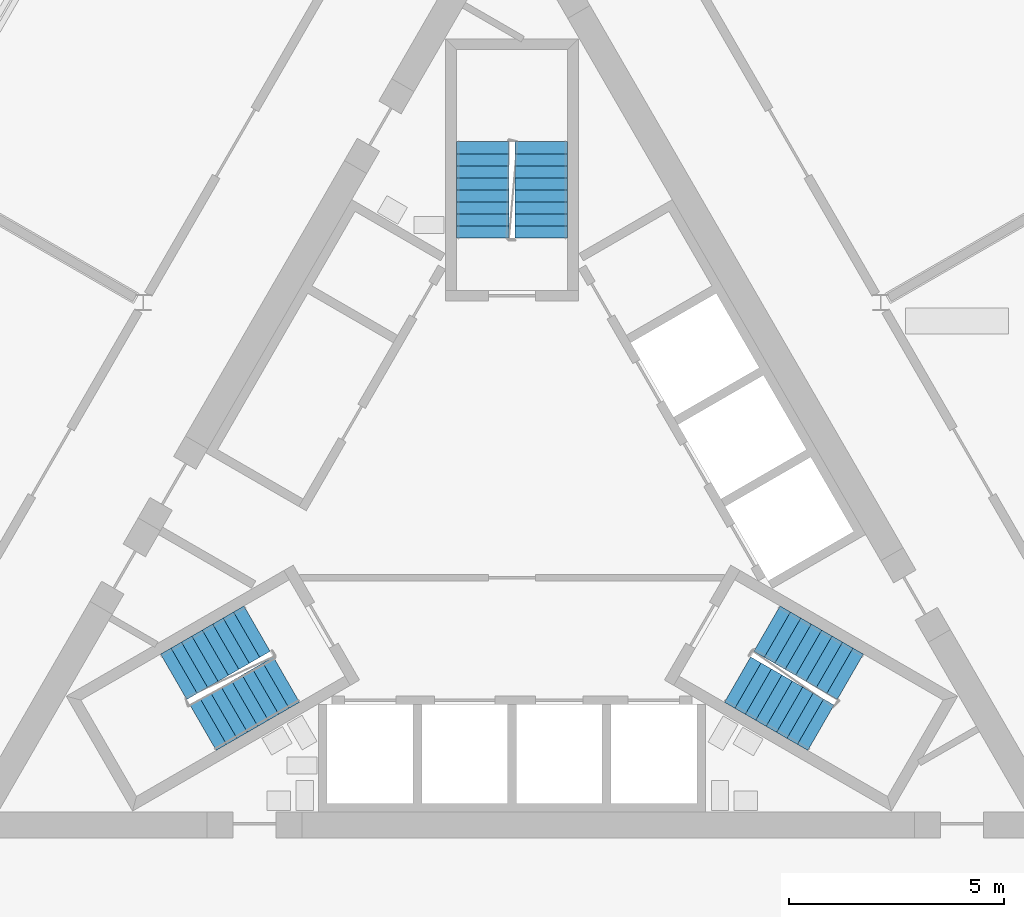
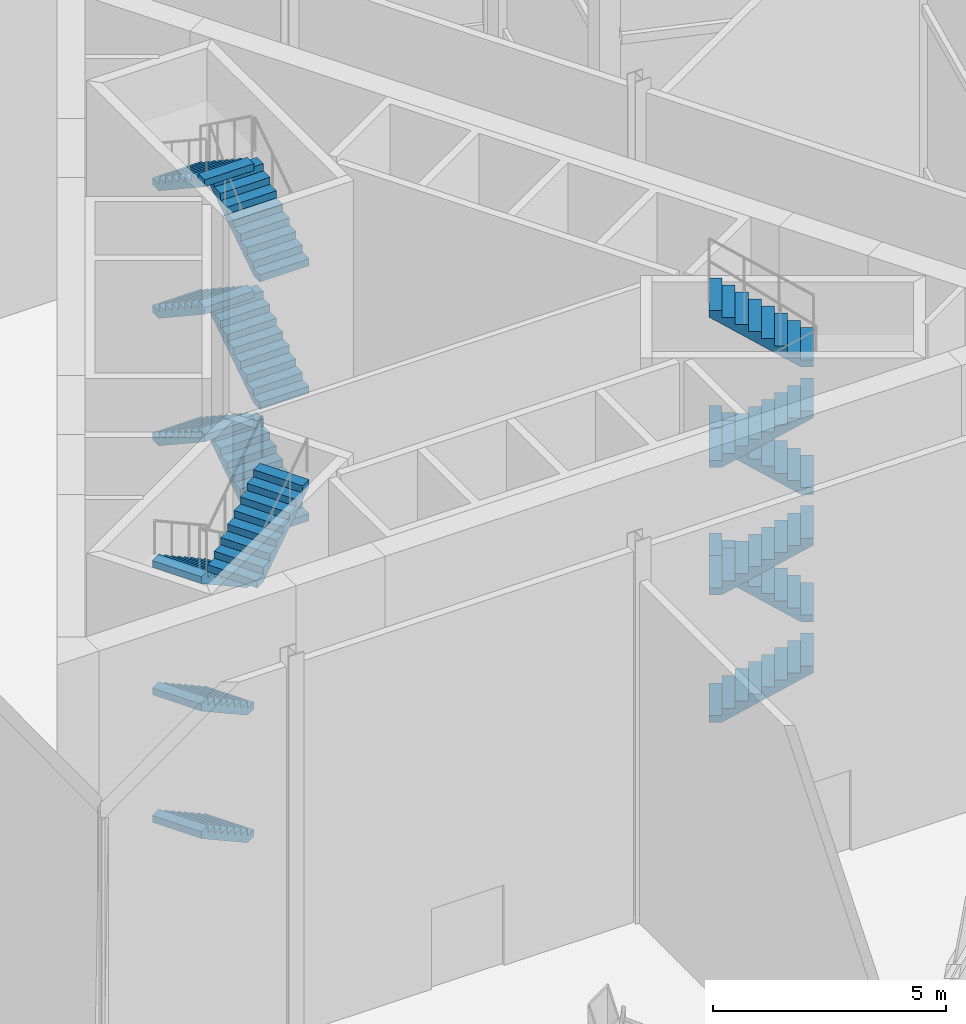
# One storey, part 11 of 18: 16 stair flights, 3 elements without a shape of their own.
"""IFC4 building model written with IfcOpenShell, lengths in metres."""

from ifc_helpers import new_model, si_unit, direction, frame, origin, place, context, subcontext, project, spatial, polyline, outline, extrude, material, type_object, element, aggregate, save


model = new_model("IFC4")

# Units and contexts
model_context = context("Model", 3, precision=1e-05, world=origin(), true_north=direction((0.0, 1.0)))
body_context = subcontext(model_context, "Body", "Model", "MODEL_VIEW")
ifc_project = project(units=[si_unit("LENGTHUNIT", "METRE"), si_unit("AREAUNIT", "SQUARE_METRE"), si_unit("VOLUMEUNIT", "CUBIC_METRE"), si_unit("PLANEANGLEUNIT", "RADIAN"), si_unit("MASSUNIT", "GRAM", prefix="KILO")], contexts=[model_context])

# Site, building, storey
site_placement = place(None, origin())
site = spatial("IfcSite", under=ifc_project, at=site_placement, CompositionType="ELEMENT")
building_placement = place(site_placement, origin())
building = spatial("IfcBuilding", under=site, at=building_placement, Name="Cormorant Prow Tower", CompositionType="ELEMENT")
storey_placement = place(building_placement, frame((0.0, 0.0, 405.199951171875)))
storey = spatial("IfcBuildingStorey", under=building, at=storey_placement, Name="L93", CompositionType="ELEMENT", Elevation=405.199951171875)

# Stair, stair flights
ifc_material_1 = material(Name="Exit stair 54 risers")
stair_type = type_object("IfcStairType", Name="Exit stair 54 risers", PredefinedType="HALF_TURN_STAIR", material=ifc_material_1)
stair_1_placement = place(storey_placement, origin())
stair_1 = element("IfcStair", 1, at=stair_1_placement, inside=storey, type_object=stair_type, Name="L93 Exit stair ST1", PredefinedType="HALF_TURN_STAIR")
ifc_material_2 = material(Name="Concrete 5000 psi", Category="concrete")
stair_flight_type = type_object("IfcStairFlightType", Name="Stair flight 1219", PredefinedType="STRAIGHT", material=ifc_material_2)
stair_flight_1_placement = place(storey_placement, frame((-5.93310546875, -2.635009765625, 0.0), z_axis=(0.0, 0.0, 1.0), x_axis=(-0.866025403784, -0.5, 0.0)))
stair_flight_1 = element("IfcStairFlight", 2, at=stair_flight_1_placement, type_object=stair_flight_type, Name="ST1 flight 1", NumberOfRisers=9, NumberOfTreads=8, PredefinedType="STRAIGHT", RiserHeight=0.185185185, TreadLength=0.28, context=body_context, shape_type="SweptSolid", body=[
    extrude(outline(polyline([(0.0, 0.0), (0.0, 0.185302734375), (0.280029296875, 0.185302734375), (0.280029296875, 0.370361328125), (0.56005859375, 0.370361328125), (0.56005859375, 0.5556640625), (0.840087890625, 0.5556640625), (0.840087890625, 0.74072265625), (1.1201171875, 0.74072265625), (1.1201171875, 0.926025390625), (1.39990234375, 0.926025390625), (1.39990234375, 1.111083984375), (1.679931640625, 1.111083984375), (1.679931640625, 1.29638671875), (1.9599609375, 1.29638671875), (1.9599609375, 1.4814453125), (2.239990234375, 1.4814453125), (2.239990234375, 1.666748046875), (2.239990234375, 1.3017578125), (0.271728515625, 0.0), (0.0, 0.0)])), frame((0.0, 0.609375, 0.0), z_axis=(0.0, -1.0, 0.0), x_axis=(1.0, 0.0, 0.0)), (0.0, 0.0, 1.0), 1.218994140625),
])
stair_flight_2_placement = place(storey_placement, frame((-5.93310546875, -2.635009765625, 3.33349609375), z_axis=(0.0, 0.0, 1.0), x_axis=(-0.866025403784, -0.5, 0.0)))
stair_flight_2 = element("IfcStairFlight", 3, at=stair_flight_2_placement, type_object=stair_flight_type, Name="ST1 flight 3", NumberOfRisers=9, NumberOfTreads=8, PredefinedType="STRAIGHT", RiserHeight=0.185185185, TreadLength=0.28, context=body_context, shape_type="SweptSolid", body=[
    extrude(outline(polyline([(0.0, 0.0), (0.0, 0.185302734375), (0.280029296875, 0.185302734375), (0.280029296875, 0.370361328125), (0.56005859375, 0.370361328125), (0.56005859375, 0.5556640625), (0.840087890625, 0.5556640625), (0.840087890625, 0.74072265625), (1.1201171875, 0.74072265625), (1.1201171875, 0.926025390625), (1.39990234375, 0.926025390625), (1.39990234375, 1.111083984375), (1.679931640625, 1.111083984375), (1.679931640625, 1.29638671875), (1.9599609375, 1.29638671875), (1.9599609375, 1.4814453125), (2.239990234375, 1.4814453125), (2.239990234375, 1.666748046875), (2.239990234375, 1.3017578125), (0.271728515625, 0.0), (0.0, 0.0)])), frame((0.0, 0.609375, 0.0), z_axis=(0.0, -1.0, 0.0), x_axis=(1.0, 0.0, 0.0)), (0.0, 0.0, 1.0), 1.218994140625),
])
stair_flight_3_placement = place(storey_placement, frame((-5.93310546875, -2.635009765625, 6.666748046875), z_axis=(0.0, 0.0, 1.0), x_axis=(-0.866025403784, -0.5, 0.0)))
stair_flight_3 = element("IfcStairFlight", 4, at=stair_flight_3_placement, type_object=stair_flight_type, Name="ST1 flight 5", NumberOfRisers=9, NumberOfTreads=8, PredefinedType="STRAIGHT", RiserHeight=0.185185185, TreadLength=0.28, context=body_context, shape_type="SweptSolid", body=[
    extrude(outline(polyline([(0.0, 0.0), (0.0, 0.185302734375), (0.280029296875, 0.185302734375), (0.280029296875, 0.370361328125), (0.56005859375, 0.370361328125), (0.56005859375, 0.5556640625), (0.840087890625, 0.5556640625), (0.840087890625, 0.74072265625), (1.1201171875, 0.74072265625), (1.1201171875, 0.926025390625), (1.39990234375, 0.926025390625), (1.39990234375, 1.111083984375), (1.679931640625, 1.111083984375), (1.679931640625, 1.29638671875), (1.9599609375, 1.29638671875), (1.9599609375, 1.4814453125), (2.239990234375, 1.4814453125), (2.239990234375, 1.666748046875), (2.239990234375, 1.3017578125), (0.271728515625, 0.0), (0.0, 0.0)])), frame((0.0, 0.609375, 0.0), z_axis=(0.0, -1.0, 0.0), x_axis=(1.0, 0.0, 0.0)), (0.0, 0.0, 1.0), 1.218994140625),
])
stair_flight_4_placement = place(storey_placement, frame((-7.1884765625, -4.940673828125, 8.33349609375), z_axis=(0.0, 0.0, 1.0), x_axis=(0.866025403784, 0.5, 0.0)))
stair_flight_4 = element("IfcStairFlight", 5, at=stair_flight_4_placement, type_object=stair_flight_type, Name="ST1 flight 6", NumberOfRisers=9, NumberOfTreads=8, PredefinedType="STRAIGHT", RiserHeight=0.185185185, TreadLength=0.28, context=body_context, shape_type="SweptSolid", body=[
    extrude(outline(polyline([(0.0, 0.0), (0.0, 0.185302734375), (0.280029296875, 0.185302734375), (0.280029296875, 0.370361328125), (0.56005859375, 0.370361328125), (0.56005859375, 0.5556640625), (0.840087890625, 0.5556640625), (0.840087890625, 0.74072265625), (1.1201171875, 0.74072265625), (1.1201171875, 0.926025390625), (1.39990234375, 0.926025390625), (1.39990234375, 1.111083984375), (1.679931640625, 1.111083984375), (1.679931640625, 1.29638671875), (1.9599609375, 1.29638671875), (1.9599609375, 1.4814453125), (2.239990234375, 1.4814453125), (2.239990234375, 1.666748046875), (2.239990234375, 1.3017578125), (0.271728515625, 0.0), (0.0, 0.0)])), frame((0.0, 0.609375, 0.0), z_axis=(0.0, -1.0, 0.0), x_axis=(1.0, 0.0, 0.0)), (0.0, 0.0, 1.0), 1.218994140625),
])
aggregate(stair_1, [stair_flight_1, stair_flight_2, stair_flight_3, stair_flight_4])

stair_2_placement = place(storey_placement, origin())
stair_2 = element("IfcStair", 6, at=stair_2_placement, inside=storey, type_object=stair_type, Name="L93 Exit stair ST2", PredefinedType="HALF_TURN_STAIR")
stair_flight_5_placement = place(storey_placement, frame((5.24853515625, -3.82080078125, 0.0), z_axis=(0.0, 0.0, 1.0), x_axis=(0.866025403784, -0.5, 0.0)))
stair_flight_5 = element("IfcStairFlight", 7, at=stair_flight_5_placement, type_object=stair_flight_type, Name="ST2 flight 1", NumberOfRisers=9, NumberOfTreads=8, PredefinedType="STRAIGHT", RiserHeight=0.185185185, TreadLength=0.28, context=body_context, shape_type="SweptSolid", body=[
    extrude(outline(polyline([(0.0, 0.0), (0.0, 0.185302734375), (0.280029296875, 0.185302734375), (0.280029296875, 0.370361328125), (0.56005859375, 0.370361328125), (0.56005859375, 0.5556640625), (0.840087890625, 0.5556640625), (0.840087890625, 0.74072265625), (1.1201171875, 0.74072265625), (1.1201171875, 0.926025390625), (1.39990234375, 0.926025390625), (1.39990234375, 1.111083984375), (1.679931640625, 1.111083984375), (1.679931640625, 1.29638671875), (1.9599609375, 1.29638671875), (1.9599609375, 1.4814453125), (2.239990234375, 1.4814453125), (2.239990234375, 1.666748046875), (2.239990234375, 1.3017578125), (0.271728515625, 0.0), (0.0, 0.0)])), frame((0.0, 0.609375, 0.0), z_axis=(0.0, -1.0, 0.0), x_axis=(1.0, 0.0, 0.0)), (0.0, 0.0, 1.0), 1.218994140625),
])
stair_flight_6_placement = place(storey_placement, frame((7.873046875, -3.755126953125, 1.666748046875), z_axis=(0.0, 0.0, 1.0), x_axis=(-0.866025403784, 0.5, 0.0)))
stair_flight_6 = element("IfcStairFlight", 8, at=stair_flight_6_placement, type_object=stair_flight_type, Name="ST2 flight 2", NumberOfRisers=9, NumberOfTreads=8, PredefinedType="STRAIGHT", RiserHeight=0.185185185, TreadLength=0.28, context=body_context, shape_type="SweptSolid", body=[
    extrude(outline(polyline([(0.0, 0.0), (0.0, 0.185302734375), (0.280029296875, 0.185302734375), (0.280029296875, 0.370361328125), (0.56005859375, 0.370361328125), (0.56005859375, 0.5556640625), (0.840087890625, 0.5556640625), (0.840087890625, 0.74072265625), (1.1201171875, 0.74072265625), (1.1201171875, 0.926025390625), (1.39990234375, 0.926025390625), (1.39990234375, 1.111083984375), (1.679931640625, 1.111083984375), (1.679931640625, 1.29638671875), (1.9599609375, 1.29638671875), (1.9599609375, 1.4814453125), (2.239990234375, 1.4814453125), (2.239990234375, 1.666748046875), (2.239990234375, 1.3017578125), (0.271728515625, 0.0), (0.0, 0.0)])), frame((0.0, 0.609375, 0.0), z_axis=(0.0, -1.0, 0.0), x_axis=(1.0, 0.0, 0.0)), (0.0, 0.0, 1.0), 1.218994140625),
])
stair_flight_7_placement = place(storey_placement, frame((5.24853515625, -3.82080078125, 3.33349609375), z_axis=(0.0, 0.0, 1.0), x_axis=(0.866025403784, -0.5, 0.0)))
stair_flight_7 = element("IfcStairFlight", 9, at=stair_flight_7_placement, type_object=stair_flight_type, Name="ST2 flight 3", NumberOfRisers=9, NumberOfTreads=8, PredefinedType="STRAIGHT", RiserHeight=0.185185185, TreadLength=0.28, context=body_context, shape_type="SweptSolid", body=[
    extrude(outline(polyline([(0.0, 0.0), (0.0, 0.185302734375), (0.280029296875, 0.185302734375), (0.280029296875, 0.370361328125), (0.56005859375, 0.370361328125), (0.56005859375, 0.5556640625), (0.840087890625, 0.5556640625), (0.840087890625, 0.74072265625), (1.1201171875, 0.74072265625), (1.1201171875, 0.926025390625), (1.39990234375, 0.926025390625), (1.39990234375, 1.111083984375), (1.679931640625, 1.111083984375), (1.679931640625, 1.29638671875), (1.9599609375, 1.29638671875), (1.9599609375, 1.4814453125), (2.239990234375, 1.4814453125), (2.239990234375, 1.666748046875), (2.239990234375, 1.3017578125), (0.271728515625, 0.0), (0.0, 0.0)])), frame((0.0, 0.609375, 0.0), z_axis=(0.0, -1.0, 0.0), x_axis=(1.0, 0.0, 0.0)), (0.0, 0.0, 1.0), 1.218994140625),
])
stair_flight_8_placement = place(storey_placement, frame((7.873046875, -3.755126953125, 5.0), z_axis=(0.0, 0.0, 1.0), x_axis=(-0.866025403784, 0.5, 0.0)))
stair_flight_8 = element("IfcStairFlight", 10, at=stair_flight_8_placement, type_object=stair_flight_type, Name="ST2 flight 4", NumberOfRisers=9, NumberOfTreads=8, PredefinedType="STRAIGHT", RiserHeight=0.185185185, TreadLength=0.28, context=body_context, shape_type="SweptSolid", body=[
    extrude(outline(polyline([(0.0, 0.0), (0.0, 0.185302734375), (0.280029296875, 0.185302734375), (0.280029296875, 0.370361328125), (0.56005859375, 0.370361328125), (0.56005859375, 0.5556640625), (0.840087890625, 0.5556640625), (0.840087890625, 0.74072265625), (1.1201171875, 0.74072265625), (1.1201171875, 0.926025390625), (1.39990234375, 0.926025390625), (1.39990234375, 1.111083984375), (1.679931640625, 1.111083984375), (1.679931640625, 1.29638671875), (1.9599609375, 1.29638671875), (1.9599609375, 1.4814453125), (2.239990234375, 1.4814453125), (2.239990234375, 1.666748046875), (2.239990234375, 1.3017578125), (0.271728515625, 0.0), (0.0, 0.0)])), frame((0.0, 0.609375, 0.0), z_axis=(0.0, -1.0, 0.0), x_axis=(1.0, 0.0, 0.0)), (0.0, 0.0, 1.0), 1.218994140625),
])
stair_flight_9_placement = place(storey_placement, frame((5.24853515625, -3.82080078125, 6.666748046875), z_axis=(0.0, 0.0, 1.0), x_axis=(0.866025403784, -0.5, 0.0)))
stair_flight_9 = element("IfcStairFlight", 11, at=stair_flight_9_placement, type_object=stair_flight_type, Name="ST2 flight 5", NumberOfRisers=9, NumberOfTreads=8, PredefinedType="STRAIGHT", RiserHeight=0.185185185, TreadLength=0.28, context=body_context, shape_type="SweptSolid", body=[
    extrude(outline(polyline([(0.0, 0.0), (0.0, 0.185302734375), (0.280029296875, 0.185302734375), (0.280029296875, 0.370361328125), (0.56005859375, 0.370361328125), (0.56005859375, 0.5556640625), (0.840087890625, 0.5556640625), (0.840087890625, 0.74072265625), (1.1201171875, 0.74072265625), (1.1201171875, 0.926025390625), (1.39990234375, 0.926025390625), (1.39990234375, 1.111083984375), (1.679931640625, 1.111083984375), (1.679931640625, 1.29638671875), (1.9599609375, 1.29638671875), (1.9599609375, 1.4814453125), (2.239990234375, 1.4814453125), (2.239990234375, 1.666748046875), (2.239990234375, 1.3017578125), (0.271728515625, 0.0), (0.0, 0.0)])), frame((0.0, 0.609375, 0.0), z_axis=(0.0, -1.0, 0.0), x_axis=(1.0, 0.0, 0.0)), (0.0, 0.0, 1.0), 1.218994140625),
])
stair_flight_10_placement = place(storey_placement, frame((7.873046875, -3.755126953125, 8.33349609375), z_axis=(0.0, 0.0, 1.0), x_axis=(-0.866025403784, 0.5, 0.0)))
stair_flight_10 = element("IfcStairFlight", 12, at=stair_flight_10_placement, type_object=stair_flight_type, Name="ST2 flight 6", NumberOfRisers=9, NumberOfTreads=8, PredefinedType="STRAIGHT", RiserHeight=0.185185185, TreadLength=0.28, context=body_context, shape_type="SweptSolid", body=[
    extrude(outline(polyline([(0.0, 0.0), (0.0, 0.185302734375), (0.280029296875, 0.185302734375), (0.280029296875, 0.370361328125), (0.56005859375, 0.370361328125), (0.56005859375, 0.5556640625), (0.840087890625, 0.5556640625), (0.840087890625, 0.74072265625), (1.1201171875, 0.74072265625), (1.1201171875, 0.926025390625), (1.39990234375, 0.926025390625), (1.39990234375, 1.111083984375), (1.679931640625, 1.111083984375), (1.679931640625, 1.29638671875), (1.9599609375, 1.29638671875), (1.9599609375, 1.4814453125), (2.239990234375, 1.4814453125), (2.239990234375, 1.666748046875), (2.239990234375, 1.3017578125), (0.271728515625, 0.0), (0.0, 0.0)])), frame((0.0, 0.609375, 0.0), z_axis=(0.0, -1.0, 0.0), x_axis=(1.0, 0.0, 0.0)), (0.0, 0.0, 1.0), 1.218994140625),
])
aggregate(stair_2, [stair_flight_5, stair_flight_6, stair_flight_7, stair_flight_8, stair_flight_9, stair_flight_10])

stair_3_placement = place(storey_placement, origin())
stair_3 = element("IfcStair", 13, at=stair_3_placement, inside=storey, type_object=stair_type, Name="L93 Exit stair ST3", PredefinedType="HALF_TURN_STAIR")
stair_flight_11_placement = place(storey_placement, frame((0.6845703125, 6.455810546875, 0.0), z_axis=(0.0, 0.0, 1.0), x_axis=(0.0, 1.0, 0.0)))
stair_flight_11 = element("IfcStairFlight", 14, at=stair_flight_11_placement, type_object=stair_flight_type, Name="ST3 flight 1", NumberOfRisers=9, NumberOfTreads=8, PredefinedType="STRAIGHT", RiserHeight=0.185185185, TreadLength=0.28, context=body_context, shape_type="SweptSolid", body=[
    extrude(outline(polyline([(0.0, 0.0), (0.0, 0.185302734375), (0.280029296875, 0.185302734375), (0.280029296875, 0.370361328125), (0.56005859375, 0.370361328125), (0.56005859375, 0.5556640625), (0.840087890625, 0.5556640625), (0.840087890625, 0.74072265625), (1.1201171875, 0.74072265625), (1.1201171875, 0.926025390625), (1.39990234375, 0.926025390625), (1.39990234375, 1.111083984375), (1.679931640625, 1.111083984375), (1.679931640625, 1.29638671875), (1.9599609375, 1.29638671875), (1.9599609375, 1.4814453125), (2.239990234375, 1.4814453125), (2.239990234375, 1.666748046875), (2.239990234375, 1.3017578125), (0.271728515625, 0.0), (0.0, 0.0)])), frame((0.0, 0.609375, 0.0), z_axis=(0.0, -1.0, 0.0), x_axis=(1.0, 0.0, 0.0)), (0.0, 0.0, 1.0), 1.218994140625),
])
stair_flight_12_placement = place(storey_placement, frame((-0.6845703125, 8.69580078125, 1.666748046875), z_axis=(0.0, 0.0, 1.0), x_axis=(0.0, -1.0, 0.0)))
stair_flight_12 = element("IfcStairFlight", 15, at=stair_flight_12_placement, type_object=stair_flight_type, Name="ST3 flight 2", NumberOfRisers=9, NumberOfTreads=8, PredefinedType="STRAIGHT", RiserHeight=0.185185185, TreadLength=0.28, context=body_context, shape_type="SweptSolid", body=[
    extrude(outline(polyline([(0.0, 0.0), (0.0, 0.185302734375), (0.280029296875, 0.185302734375), (0.280029296875, 0.370361328125), (0.56005859375, 0.370361328125), (0.56005859375, 0.5556640625), (0.840087890625, 0.5556640625), (0.840087890625, 0.74072265625), (1.1201171875, 0.74072265625), (1.1201171875, 0.926025390625), (1.39990234375, 0.926025390625), (1.39990234375, 1.111083984375), (1.679931640625, 1.111083984375), (1.679931640625, 1.29638671875), (1.9599609375, 1.29638671875), (1.9599609375, 1.4814453125), (2.239990234375, 1.4814453125), (2.239990234375, 1.666748046875), (2.239990234375, 1.3017578125), (0.271728515625, 0.0), (0.0, 0.0)])), frame((0.0, 0.609375, 0.0), z_axis=(0.0, -1.0, 0.0), x_axis=(1.0, 0.0, 0.0)), (0.0, 0.0, 1.0), 1.218994140625),
])
stair_flight_13_placement = place(storey_placement, frame((0.6845703125, 6.455810546875, 3.33349609375), z_axis=(0.0, 0.0, 1.0), x_axis=(0.0, 1.0, 0.0)))
stair_flight_13 = element("IfcStairFlight", 16, at=stair_flight_13_placement, type_object=stair_flight_type, Name="ST3 flight 3", NumberOfRisers=9, NumberOfTreads=8, PredefinedType="STRAIGHT", RiserHeight=0.185185185, TreadLength=0.28, context=body_context, shape_type="SweptSolid", body=[
    extrude(outline(polyline([(0.0, 0.0), (0.0, 0.185302734375), (0.280029296875, 0.185302734375), (0.280029296875, 0.370361328125), (0.56005859375, 0.370361328125), (0.56005859375, 0.5556640625), (0.840087890625, 0.5556640625), (0.840087890625, 0.74072265625), (1.1201171875, 0.74072265625), (1.1201171875, 0.926025390625), (1.39990234375, 0.926025390625), (1.39990234375, 1.111083984375), (1.679931640625, 1.111083984375), (1.679931640625, 1.29638671875), (1.9599609375, 1.29638671875), (1.9599609375, 1.4814453125), (2.239990234375, 1.4814453125), (2.239990234375, 1.666748046875), (2.239990234375, 1.3017578125), (0.271728515625, 0.0), (0.0, 0.0)])), frame((0.0, 0.609375, 0.0), z_axis=(0.0, -1.0, 0.0), x_axis=(1.0, 0.0, 0.0)), (0.0, 0.0, 1.0), 1.218994140625),
])
stair_flight_14_placement = place(storey_placement, frame((-0.6845703125, 8.69580078125, 5.0), z_axis=(0.0, 0.0, 1.0), x_axis=(0.0, -1.0, 0.0)))
stair_flight_14 = element("IfcStairFlight", 17, at=stair_flight_14_placement, type_object=stair_flight_type, Name="ST3 flight 4", NumberOfRisers=9, NumberOfTreads=8, PredefinedType="STRAIGHT", RiserHeight=0.185185185, TreadLength=0.28, context=body_context, shape_type="SweptSolid", body=[
    extrude(outline(polyline([(0.0, 0.0), (0.0, 0.185302734375), (0.280029296875, 0.185302734375), (0.280029296875, 0.370361328125), (0.56005859375, 0.370361328125), (0.56005859375, 0.5556640625), (0.840087890625, 0.5556640625), (0.840087890625, 0.74072265625), (1.1201171875, 0.74072265625), (1.1201171875, 0.926025390625), (1.39990234375, 0.926025390625), (1.39990234375, 1.111083984375), (1.679931640625, 1.111083984375), (1.679931640625, 1.29638671875), (1.9599609375, 1.29638671875), (1.9599609375, 1.4814453125), (2.239990234375, 1.4814453125), (2.239990234375, 1.666748046875), (2.239990234375, 1.3017578125), (0.271728515625, 0.0), (0.0, 0.0)])), frame((0.0, 0.609375, 0.0), z_axis=(0.0, -1.0, 0.0), x_axis=(1.0, 0.0, 0.0)), (0.0, 0.0, 1.0), 1.218994140625),
])
stair_flight_15_placement = place(storey_placement, frame((0.6845703125, 6.455810546875, 6.666748046875), z_axis=(0.0, 0.0, 1.0), x_axis=(0.0, 1.0, 0.0)))
stair_flight_15 = element("IfcStairFlight", 18, at=stair_flight_15_placement, type_object=stair_flight_type, Name="ST3 flight 5", NumberOfRisers=9, NumberOfTreads=8, PredefinedType="STRAIGHT", RiserHeight=0.185185185, TreadLength=0.28, context=body_context, shape_type="SweptSolid", body=[
    extrude(outline(polyline([(0.0, 0.0), (0.0, 0.185302734375), (0.280029296875, 0.185302734375), (0.280029296875, 0.370361328125), (0.56005859375, 0.370361328125), (0.56005859375, 0.5556640625), (0.840087890625, 0.5556640625), (0.840087890625, 0.74072265625), (1.1201171875, 0.74072265625), (1.1201171875, 0.926025390625), (1.39990234375, 0.926025390625), (1.39990234375, 1.111083984375), (1.679931640625, 1.111083984375), (1.679931640625, 1.29638671875), (1.9599609375, 1.29638671875), (1.9599609375, 1.4814453125), (2.239990234375, 1.4814453125), (2.239990234375, 1.666748046875), (2.239990234375, 1.3017578125), (0.271728515625, 0.0), (0.0, 0.0)])), frame((0.0, 0.609375, 0.0), z_axis=(0.0, -1.0, 0.0), x_axis=(1.0, 0.0, 0.0)), (0.0, 0.0, 1.0), 1.218994140625),
])
stair_flight_16_placement = place(storey_placement, frame((-0.6845703125, 8.69580078125, 8.33349609375), z_axis=(0.0, 0.0, 1.0), x_axis=(0.0, -1.0, 0.0)))
stair_flight_16 = element("IfcStairFlight", 19, at=stair_flight_16_placement, type_object=stair_flight_type, Name="ST3 flight 6", NumberOfRisers=9, NumberOfTreads=8, PredefinedType="STRAIGHT", RiserHeight=0.185185185, TreadLength=0.28, context=body_context, shape_type="SweptSolid", body=[
    extrude(outline(polyline([(0.0, 0.0), (0.0, 0.185302734375), (0.280029296875, 0.185302734375), (0.280029296875, 0.370361328125), (0.56005859375, 0.370361328125), (0.56005859375, 0.5556640625), (0.840087890625, 0.5556640625), (0.840087890625, 0.74072265625), (1.1201171875, 0.74072265625), (1.1201171875, 0.926025390625), (1.39990234375, 0.926025390625), (1.39990234375, 1.111083984375), (1.679931640625, 1.111083984375), (1.679931640625, 1.29638671875), (1.9599609375, 1.29638671875), (1.9599609375, 1.4814453125), (2.239990234375, 1.4814453125), (2.239990234375, 1.666748046875), (2.239990234375, 1.3017578125), (0.271728515625, 0.0), (0.0, 0.0)])), frame((0.0, 0.609375, 0.0), z_axis=(0.0, -1.0, 0.0), x_axis=(1.0, 0.0, 0.0)), (0.0, 0.0, 1.0), 1.218994140625),
])
aggregate(stair_3, [stair_flight_11, stair_flight_12, stair_flight_13, stair_flight_14, stair_flight_15, stair_flight_16])

save(model, "model.ifc")
